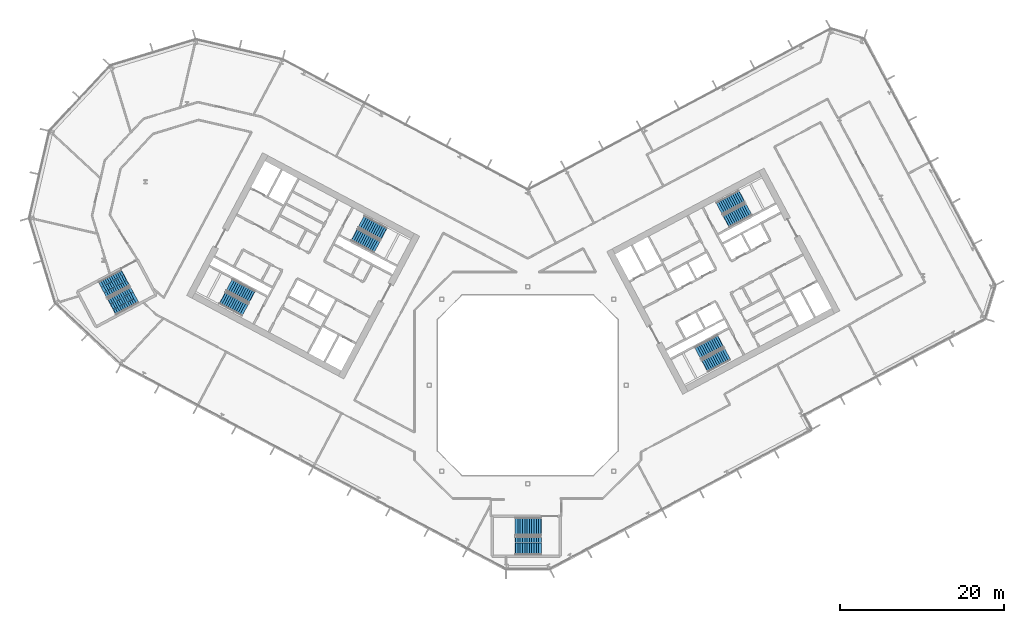
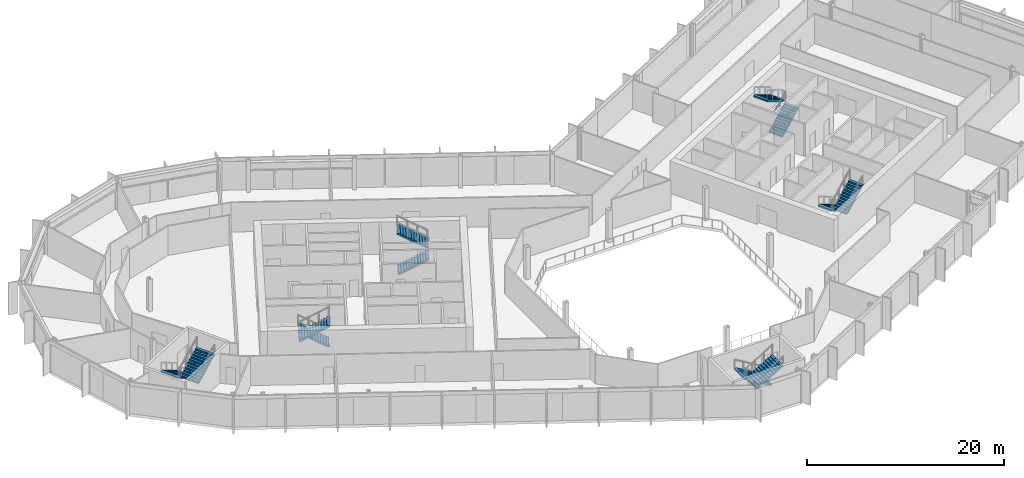
# One storey, part 18 of 28: 12 stair flights, 6 elements without a shape of their own.
"""IFC4 building model written with IfcOpenShell, lengths in metres."""

from ifc_helpers import new_model, si_unit, direction, frame, origin, place, context, subcontext, project, spatial, polyline, outline, extrude, material, type_object, element, aggregate, save


model = new_model("IFC4")

# Units and contexts
model_context = context("Model", 3, precision=1e-05, world=origin(), true_north=direction((0.0, 1.0)))
body_context = subcontext(model_context, "Body", "Model", "MODEL_VIEW")
ifc_project = project(units=[si_unit("LENGTHUNIT", "METRE"), si_unit("AREAUNIT", "SQUARE_METRE"), si_unit("VOLUMEUNIT", "CUBIC_METRE"), si_unit("PLANEANGLEUNIT", "RADIAN"), si_unit("MASSUNIT", "GRAM", prefix="KILO")], contexts=[model_context])

# Site, building, storey
site_placement = place(None, origin())
site = spatial("IfcSite", under=ifc_project, at=site_placement, CompositionType="ELEMENT")
building_placement = place(site_placement, origin())
building = spatial("IfcBuilding", under=site, at=building_placement, Name="Cormorant Relay Tower", CompositionType="ELEMENT")
storey_placement = place(building_placement, frame((0.0, 0.0, 126.199951171875)))
storey = spatial("IfcBuildingStorey", under=building, at=storey_placement, Name="L25", CompositionType="ELEMENT", Elevation=126.199951171875)

# Stair, stair flights
ifc_material_1 = material(Name="Concrete 40 MPa", Category="concrete")
stair_type_1 = type_object("IfcStairType", Name="Exit stair 1500", PredefinedType="HALF_TURN_STAIR", material=ifc_material_1)
stair_1_placement = place(storey_placement, origin())
stair_1 = element("IfcStair", 1, at=stair_1_placement, inside=storey, type_object=stair_type_1, Name="L25 Stair", PredefinedType="HALF_TURN_STAIR")
ifc_material_2 = material(Name="Concrete 40 MPa", Category="concrete")
stair_flight_type_1 = type_object("IfcStairFlightType", Name="Exit stair flight 1650", PredefinedType="STRAIGHT", material=ifc_material_2)
stair_flight_1_placement = place(storey_placement, frame((-21.114501953125, 18.33349609375, 0.0), z_axis=(0.0, 0.0, 1.0), x_axis=(0.882947592859, -0.469471562786, 0.0)))
stair_flight_1 = element("IfcStairFlight", 2, at=stair_flight_1_placement, type_object=stair_flight_type_1, Name="A1 flight 1", NumberOfRisers=12, NumberOfTreads=11, PredefinedType="STRAIGHT", RiserHeight=0.166666667, TreadLength=0.28, context=body_context, shape_type="SweptSolid", body=[
    extrude(outline(polyline([(-0.050048828125, -0.080078125), (-0.050048828125, 0.0), (0.0, 0.0), (0.0, 0.166748046875), (0.280029296875, 0.166748046875), (0.280029296875, 0.333251953125), (0.56005859375, 0.333251953125), (0.56005859375, 0.5), (0.840087890625, 0.5), (0.840087890625, 0.666748046875), (1.1201171875, 0.666748046875), (1.1201171875, 0.833251953125), (1.39990234375, 0.833251953125), (1.39990234375, 1.0), (1.679931640625, 1.0), (1.679931640625, 1.166748046875), (1.9599609375, 1.166748046875), (1.9599609375, 1.333251953125), (2.239990234375, 1.333251953125), (2.239990234375, 1.5), (2.52001953125, 1.5), (2.52001953125, 1.666748046875), (2.800048828125, 1.666748046875), (2.800048828125, 1.833251953125), (3.080078125, 1.833251953125), (3.130126953125, 1.833251953125), (3.130126953125, 1.658935546875), (3.080078125, 1.658935546875), (0.29296875, 0.0), (-0.050048828125, -0.080078125)])), frame((0.0, 0.824951171875, 0.0), z_axis=(0.0, -1.0, 0.0), x_axis=(1.0, 0.0, 0.0)), (0.0, 0.0, 1.0), 1.64990234375),
])
stair_flight_2_placement = place(storey_placement, frame((-17.5498046875, 18.47705078125, 2.0), z_axis=(0.0, 0.0, 1.0), x_axis=(-0.882947592859, 0.469471562786, 0.0)))
stair_flight_2 = element("IfcStairFlight", 3, at=stair_flight_2_placement, type_object=stair_flight_type_1, Name="A1 flight 2", NumberOfRisers=12, NumberOfTreads=11, PredefinedType="STRAIGHT", RiserHeight=0.166666667, TreadLength=0.28, context=body_context, shape_type="SweptSolid", body=[
    extrude(outline(polyline([(-0.050048828125, -0.080078125), (-0.050048828125, 0.0), (0.0, 0.0), (0.0, 0.166748046875), (0.280029296875, 0.166748046875), (0.280029296875, 0.333251953125), (0.56005859375, 0.333251953125), (0.56005859375, 0.5), (0.840087890625, 0.5), (0.840087890625, 0.666748046875), (1.1201171875, 0.666748046875), (1.1201171875, 0.833251953125), (1.39990234375, 0.833251953125), (1.39990234375, 1.0), (1.679931640625, 1.0), (1.679931640625, 1.166748046875), (1.9599609375, 1.166748046875), (1.9599609375, 1.333251953125), (2.239990234375, 1.333251953125), (2.239990234375, 1.5), (2.52001953125, 1.5), (2.52001953125, 1.666748046875), (2.800048828125, 1.666748046875), (2.800048828125, 1.833251953125), (3.080078125, 1.833251953125), (3.130126953125, 1.833251953125), (3.130126953125, 1.658935546875), (3.080078125, 1.658935546875), (0.29296875, 0.0), (-0.050048828125, -0.080078125)])), frame((0.0, 0.824951171875, 0.0), z_axis=(0.0, -1.0, 0.0), x_axis=(1.0, 0.0, 0.0)), (0.0, 0.0, 1.0), 1.64990234375),
])
aggregate(stair_1, [stair_flight_1, stair_flight_2])

stair_2_placement = place(storey_placement, origin())
stair_2 = element("IfcStair", 4, at=stair_2_placement, inside=storey, type_object=stair_type_1, Name="L25 Stair", PredefinedType="HALF_TURN_STAIR")
stair_flight_3_placement = place(storey_placement, frame((-33.62841796875, 10.773681640625, 0.0), z_axis=(0.0, 0.0, 1.0), x_axis=(-0.882947592859, 0.469471562786, 0.0)))
stair_flight_3 = element("IfcStairFlight", 5, at=stair_flight_3_placement, type_object=stair_flight_type_1, Name="A2 flight 1", NumberOfRisers=12, NumberOfTreads=11, PredefinedType="STRAIGHT", RiserHeight=0.166666667, TreadLength=0.28, context=body_context, shape_type="SweptSolid", body=[
    extrude(outline(polyline([(-0.050048828125, -0.080078125), (-0.050048828125, 0.0), (0.0, 0.0), (0.0, 0.166748046875), (0.280029296875, 0.166748046875), (0.280029296875, 0.333251953125), (0.56005859375, 0.333251953125), (0.56005859375, 0.5), (0.840087890625, 0.5), (0.840087890625, 0.666748046875), (1.1201171875, 0.666748046875), (1.1201171875, 0.833251953125), (1.39990234375, 0.833251953125), (1.39990234375, 1.0), (1.679931640625, 1.0), (1.679931640625, 1.166748046875), (1.9599609375, 1.166748046875), (1.9599609375, 1.333251953125), (2.239990234375, 1.333251953125), (2.239990234375, 1.5), (2.52001953125, 1.5), (2.52001953125, 1.666748046875), (2.800048828125, 1.666748046875), (2.800048828125, 1.833251953125), (3.080078125, 1.833251953125), (3.130126953125, 1.833251953125), (3.130126953125, 1.658935546875), (3.080078125, 1.658935546875), (0.29296875, 0.0), (-0.050048828125, -0.080078125)])), frame((0.0, 0.824951171875, 0.0), z_axis=(0.0, -1.0, 0.0), x_axis=(1.0, 0.0, 0.0)), (0.0, 0.0, 1.0), 1.64990234375),
])
stair_flight_4_placement = place(storey_placement, frame((-37.19287109375, 10.63037109375, 2.0), z_axis=(0.0, 0.0, 1.0), x_axis=(0.882947592859, -0.469471562786, 0.0)))
stair_flight_4 = element("IfcStairFlight", 6, at=stair_flight_4_placement, type_object=stair_flight_type_1, Name="A2 flight 2", NumberOfRisers=12, NumberOfTreads=11, PredefinedType="STRAIGHT", RiserHeight=0.166666667, TreadLength=0.28, context=body_context, shape_type="SweptSolid", body=[
    extrude(outline(polyline([(-0.050048828125, -0.080078125), (-0.050048828125, 0.0), (0.0, 0.0), (0.0, 0.166748046875), (0.280029296875, 0.166748046875), (0.280029296875, 0.333251953125), (0.56005859375, 0.333251953125), (0.56005859375, 0.5), (0.840087890625, 0.5), (0.840087890625, 0.666748046875), (1.1201171875, 0.666748046875), (1.1201171875, 0.833251953125), (1.39990234375, 0.833251953125), (1.39990234375, 1.0), (1.679931640625, 1.0), (1.679931640625, 1.166748046875), (1.9599609375, 1.166748046875), (1.9599609375, 1.333251953125), (2.239990234375, 1.333251953125), (2.239990234375, 1.5), (2.52001953125, 1.5), (2.52001953125, 1.666748046875), (2.800048828125, 1.666748046875), (2.800048828125, 1.833251953125), (3.080078125, 1.833251953125), (3.130126953125, 1.833251953125), (3.130126953125, 1.658935546875), (3.080078125, 1.658935546875), (0.29296875, 0.0), (-0.050048828125, -0.080078125)])), frame((0.0, 0.824951171875, 0.0), z_axis=(0.0, -1.0, 0.0), x_axis=(1.0, 0.0, 0.0)), (0.0, 0.0, 1.0), 1.64990234375),
])
aggregate(stair_2, [stair_flight_3, stair_flight_4])

stair_3_placement = place(storey_placement, origin())
stair_3 = element("IfcStair", 7, at=stair_3_placement, inside=storey, type_object=stair_type_1, Name="L25 Stair", PredefinedType="HALF_TURN_STAIR")
stair_flight_5_placement = place(storey_placement, frame((23.474365234375, 5.374755859375, 0.0), z_axis=(0.0, 0.0, 1.0), x_axis=(-0.882947592859, -0.469471562786, 0.0)))
stair_flight_5 = element("IfcStairFlight", 8, at=stair_flight_5_placement, type_object=stair_flight_type_1, Name="B1 flight 1", NumberOfRisers=12, NumberOfTreads=11, PredefinedType="STRAIGHT", RiserHeight=0.166666667, TreadLength=0.28, context=body_context, shape_type="SweptSolid", body=[
    extrude(outline(polyline([(-0.050048828125, -0.080078125), (-0.050048828125, 0.0), (0.0, 0.0), (0.0, 0.166748046875), (0.280029296875, 0.166748046875), (0.280029296875, 0.333251953125), (0.56005859375, 0.333251953125), (0.56005859375, 0.5), (0.840087890625, 0.5), (0.840087890625, 0.666748046875), (1.1201171875, 0.666748046875), (1.1201171875, 0.833251953125), (1.39990234375, 0.833251953125), (1.39990234375, 1.0), (1.679931640625, 1.0), (1.679931640625, 1.166748046875), (1.9599609375, 1.166748046875), (1.9599609375, 1.333251953125), (2.239990234375, 1.333251953125), (2.239990234375, 1.5), (2.52001953125, 1.5), (2.52001953125, 1.666748046875), (2.800048828125, 1.666748046875), (2.800048828125, 1.833251953125), (3.080078125, 1.833251953125), (3.130126953125, 1.833251953125), (3.130126953125, 1.658935546875), (3.080078125, 1.658935546875), (0.29296875, 0.0), (-0.050048828125, -0.080078125)])), frame((0.0, 0.824951171875, 0.0), z_axis=(0.0, -1.0, 0.0), x_axis=(1.0, 0.0, 0.0)), (0.0, 0.0, 1.0), 1.64990234375),
])
stair_flight_6_placement = place(storey_placement, frame((21.60009765625, 2.33935546875, 2.0), z_axis=(0.0, 0.0, 1.0), x_axis=(0.882947592859, 0.469471562786, 0.0)))
stair_flight_6 = element("IfcStairFlight", 9, at=stair_flight_6_placement, type_object=stair_flight_type_1, Name="B1 flight 2", NumberOfRisers=12, NumberOfTreads=11, PredefinedType="STRAIGHT", RiserHeight=0.166666667, TreadLength=0.28, context=body_context, shape_type="SweptSolid", body=[
    extrude(outline(polyline([(-0.050048828125, -0.080078125), (-0.050048828125, 0.0), (0.0, 0.0), (0.0, 0.166748046875), (0.280029296875, 0.166748046875), (0.280029296875, 0.333251953125), (0.56005859375, 0.333251953125), (0.56005859375, 0.5), (0.840087890625, 0.5), (0.840087890625, 0.666748046875), (1.1201171875, 0.666748046875), (1.1201171875, 0.833251953125), (1.39990234375, 0.833251953125), (1.39990234375, 1.0), (1.679931640625, 1.0), (1.679931640625, 1.166748046875), (1.9599609375, 1.166748046875), (1.9599609375, 1.333251953125), (2.239990234375, 1.333251953125), (2.239990234375, 1.5), (2.52001953125, 1.5), (2.52001953125, 1.666748046875), (2.800048828125, 1.666748046875), (2.800048828125, 1.833251953125), (3.080078125, 1.833251953125), (3.130126953125, 1.833251953125), (3.130126953125, 1.658935546875), (3.080078125, 1.658935546875), (0.29296875, 0.0), (-0.050048828125, -0.080078125)])), frame((0.0, 0.824951171875, 0.0), z_axis=(0.0, -1.0, 0.0), x_axis=(1.0, 0.0, 0.0)), (0.0, 0.0, 1.0), 1.64990234375),
])
aggregate(stair_3, [stair_flight_5, stair_flight_6])

stair_4_placement = place(storey_placement, origin())
stair_4 = element("IfcStair", 10, at=stair_4_placement, inside=storey, type_object=stair_type_1, Name="L25 Stair", PredefinedType="HALF_TURN_STAIR")
stair_flight_7_placement = place(storey_placement, frame((24.20458984375, 19.976806640625, 0.0), z_axis=(0.0, 0.0, 1.0), x_axis=(0.882947592859, 0.469471562786, 0.0)))
stair_flight_7 = element("IfcStairFlight", 11, at=stair_flight_7_placement, type_object=stair_flight_type_1, Name="B2 flight 1", NumberOfRisers=12, NumberOfTreads=11, PredefinedType="STRAIGHT", RiserHeight=0.166666667, TreadLength=0.28, context=body_context, shape_type="SweptSolid", body=[
    extrude(outline(polyline([(-0.050048828125, -0.080078125), (-0.050048828125, 0.0), (0.0, 0.0), (0.0, 0.166748046875), (0.280029296875, 0.166748046875), (0.280029296875, 0.333251953125), (0.56005859375, 0.333251953125), (0.56005859375, 0.5), (0.840087890625, 0.5), (0.840087890625, 0.666748046875), (1.1201171875, 0.666748046875), (1.1201171875, 0.833251953125), (1.39990234375, 0.833251953125), (1.39990234375, 1.0), (1.679931640625, 1.0), (1.679931640625, 1.166748046875), (1.9599609375, 1.166748046875), (1.9599609375, 1.333251953125), (2.239990234375, 1.333251953125), (2.239990234375, 1.5), (2.52001953125, 1.5), (2.52001953125, 1.666748046875), (2.800048828125, 1.666748046875), (2.800048828125, 1.833251953125), (3.080078125, 1.833251953125), (3.130126953125, 1.833251953125), (3.130126953125, 1.658935546875), (3.080078125, 1.658935546875), (0.29296875, 0.0), (-0.050048828125, -0.080078125)])), frame((0.0, 0.824951171875, 0.0), z_axis=(0.0, -1.0, 0.0), x_axis=(1.0, 0.0, 0.0)), (0.0, 0.0, 1.0), 1.64990234375),
])
stair_flight_8_placement = place(storey_placement, frame((26.0791015625, 23.011962890625, 2.0), z_axis=(0.0, 0.0, 1.0), x_axis=(-0.882947592859, -0.469471562786, 0.0)))
stair_flight_8 = element("IfcStairFlight", 12, at=stair_flight_8_placement, type_object=stair_flight_type_1, Name="B2 flight 2", NumberOfRisers=12, NumberOfTreads=11, PredefinedType="STRAIGHT", RiserHeight=0.166666667, TreadLength=0.28, context=body_context, shape_type="SweptSolid", body=[
    extrude(outline(polyline([(-0.050048828125, -0.080078125), (-0.050048828125, 0.0), (0.0, 0.0), (0.0, 0.166748046875), (0.280029296875, 0.166748046875), (0.280029296875, 0.333251953125), (0.56005859375, 0.333251953125), (0.56005859375, 0.5), (0.840087890625, 0.5), (0.840087890625, 0.666748046875), (1.1201171875, 0.666748046875), (1.1201171875, 0.833251953125), (1.39990234375, 0.833251953125), (1.39990234375, 1.0), (1.679931640625, 1.0), (1.679931640625, 1.166748046875), (1.9599609375, 1.166748046875), (1.9599609375, 1.333251953125), (2.239990234375, 1.333251953125), (2.239990234375, 1.5), (2.52001953125, 1.5), (2.52001953125, 1.666748046875), (2.800048828125, 1.666748046875), (2.800048828125, 1.833251953125), (3.080078125, 1.833251953125), (3.130126953125, 1.833251953125), (3.130126953125, 1.658935546875), (3.080078125, 1.658935546875), (0.29296875, 0.0), (-0.050048828125, -0.080078125)])), frame((0.0, 0.824951171875, 0.0), z_axis=(0.0, -1.0, 0.0), x_axis=(1.0, 0.0, 0.0)), (0.0, 0.0, 1.0), 1.64990234375),
])
aggregate(stair_4, [stair_flight_7, stair_flight_8])

ifc_material_3 = material(Name="Concrete 40 MPa", Category="concrete")
stair_type_2 = type_object("IfcStairType", Name="Remote exit stair 2200", PredefinedType="HALF_TURN_STAIR", material=ifc_material_3)
stair_5_placement = place(storey_placement, origin())
stair_5 = element("IfcStair", 13, at=stair_5_placement, inside=storey, type_object=stair_type_2, Name="L25 Stair", PredefinedType="HALF_TURN_STAIR")
ifc_material_4 = material(Name="Concrete 40 MPa", Category="concrete")
stair_flight_type_2 = type_object("IfcStairFlightType", Name="Remote exit stair flight 2200", PredefinedType="STRAIGHT", material=ifc_material_4)
stair_flight_9_placement = place(storey_placement, frame((1.60009765625, -17.22509765625, 0.0), z_axis=(0.0, 0.0, 1.0), x_axis=(-1.0, 0.0, 0.0)))
stair_flight_9 = element("IfcStairFlight", 14, at=stair_flight_9_placement, type_object=stair_flight_type_2, Name="RK1 flight 1", NumberOfRisers=12, NumberOfTreads=11, PredefinedType="STRAIGHT", RiserHeight=0.166666667, TreadLength=0.28, context=body_context, shape_type="SweptSolid", body=[
    extrude(outline(polyline([(-0.050048828125, -0.080078125), (-0.050048828125, 0.0), (0.0, 0.0), (0.0, 0.166748046875), (0.280029296875, 0.166748046875), (0.280029296875, 0.333251953125), (0.56005859375, 0.333251953125), (0.56005859375, 0.5), (0.840087890625, 0.5), (0.840087890625, 0.666748046875), (1.1201171875, 0.666748046875), (1.1201171875, 0.833251953125), (1.39990234375, 0.833251953125), (1.39990234375, 1.0), (1.679931640625, 1.0), (1.679931640625, 1.166748046875), (1.9599609375, 1.166748046875), (1.9599609375, 1.333251953125), (2.239990234375, 1.333251953125), (2.239990234375, 1.5), (2.52001953125, 1.5), (2.52001953125, 1.666748046875), (2.800048828125, 1.666748046875), (2.800048828125, 1.833251953125), (3.080078125, 1.833251953125), (3.130126953125, 1.833251953125), (3.130126953125, 1.658935546875), (3.080078125, 1.658935546875), (0.29296875, 0.0), (-0.050048828125, -0.080078125)])), frame((0.0, 1.10009765625, 0.0), z_axis=(0.0, -1.0, 0.0), x_axis=(1.0, 0.0, 0.0)), (0.0, 0.0, 1.0), 0.719970703125),
    extrude(outline(polyline([(-0.050048828125, -0.080078125), (-0.050048828125, 0.0), (0.0, 0.0), (0.0, 0.166748046875), (0.280029296875, 0.166748046875), (0.280029296875, 0.333251953125), (0.56005859375, 0.333251953125), (0.56005859375, 0.5), (0.840087890625, 0.5), (0.840087890625, 0.666748046875), (1.1201171875, 0.666748046875), (1.1201171875, 0.833251953125), (1.39990234375, 0.833251953125), (1.39990234375, 1.0), (1.679931640625, 1.0), (1.679931640625, 1.166748046875), (1.9599609375, 1.166748046875), (1.9599609375, 1.333251953125), (2.239990234375, 1.333251953125), (2.239990234375, 1.5), (2.52001953125, 1.5), (2.52001953125, 1.666748046875), (2.800048828125, 1.666748046875), (2.800048828125, 1.833251953125), (3.080078125, 1.833251953125), (3.130126953125, 1.833251953125), (3.130126953125, 1.658935546875), (3.080078125, 1.658935546875), (0.29296875, 0.0), (-0.050048828125, -0.080078125)])), frame((0.0, 0.360107421875, 0.0), z_axis=(0.0, -1.0, 0.0), x_axis=(1.0, 0.0, 0.0)), (0.0, 0.0, 1.0), 0.719970703125),
    extrude(outline(polyline([(-0.050048828125, -0.080078125), (-0.050048828125, 0.0), (0.0, 0.0), (0.0, 0.166748046875), (0.280029296875, 0.166748046875), (0.280029296875, 0.333251953125), (0.56005859375, 0.333251953125), (0.56005859375, 0.5), (0.840087890625, 0.5), (0.840087890625, 0.666748046875), (1.1201171875, 0.666748046875), (1.1201171875, 0.833251953125), (1.39990234375, 0.833251953125), (1.39990234375, 1.0), (1.679931640625, 1.0), (1.679931640625, 1.166748046875), (1.9599609375, 1.166748046875), (1.9599609375, 1.333251953125), (2.239990234375, 1.333251953125), (2.239990234375, 1.5), (2.52001953125, 1.5), (2.52001953125, 1.666748046875), (2.800048828125, 1.666748046875), (2.800048828125, 1.833251953125), (3.080078125, 1.833251953125), (3.130126953125, 1.833251953125), (3.130126953125, 1.658935546875), (3.080078125, 1.658935546875), (0.29296875, 0.0), (-0.050048828125, -0.080078125)])), frame((0.0, -0.3798828125, 0.0), z_axis=(0.0, -1.0, 0.0), x_axis=(1.0, 0.0, 0.0)), (0.0, 0.0, 1.0), 0.719970703125),
])
stair_flight_10_placement = place(storey_placement, frame((-1.47998046875, -19.574951171875, 2.0), z_axis=(0.0, 0.0, 1.0), x_axis=(1.0, 0.0, 0.0)))
stair_flight_10 = element("IfcStairFlight", 15, at=stair_flight_10_placement, type_object=stair_flight_type_2, Name="RK1 flight 2", NumberOfRisers=12, NumberOfTreads=11, PredefinedType="STRAIGHT", RiserHeight=0.166666667, TreadLength=0.28, context=body_context, shape_type="SweptSolid", body=[
    extrude(outline(polyline([(-0.050048828125, -0.080078125), (-0.050048828125, 0.0), (0.0, 0.0), (0.0, 0.166748046875), (0.280029296875, 0.166748046875), (0.280029296875, 0.333251953125), (0.56005859375, 0.333251953125), (0.56005859375, 0.5), (0.840087890625, 0.5), (0.840087890625, 0.666748046875), (1.1201171875, 0.666748046875), (1.1201171875, 0.833251953125), (1.39990234375, 0.833251953125), (1.39990234375, 1.0), (1.679931640625, 1.0), (1.679931640625, 1.166748046875), (1.9599609375, 1.166748046875), (1.9599609375, 1.333251953125), (2.239990234375, 1.333251953125), (2.239990234375, 1.5), (2.52001953125, 1.5), (2.52001953125, 1.666748046875), (2.800048828125, 1.666748046875), (2.800048828125, 1.833251953125), (3.080078125, 1.833251953125), (3.130126953125, 1.833251953125), (3.130126953125, 1.658935546875), (3.080078125, 1.658935546875), (0.29296875, 0.0), (-0.050048828125, -0.080078125)])), frame((0.0, 1.10009765625, 0.0), z_axis=(0.0, -1.0, 0.0), x_axis=(1.0, 0.0, 0.0)), (0.0, 0.0, 1.0), 0.719970703125),
    extrude(outline(polyline([(-0.050048828125, -0.080078125), (-0.050048828125, 0.0), (0.0, 0.0), (0.0, 0.166748046875), (0.280029296875, 0.166748046875), (0.280029296875, 0.333251953125), (0.56005859375, 0.333251953125), (0.56005859375, 0.5), (0.840087890625, 0.5), (0.840087890625, 0.666748046875), (1.1201171875, 0.666748046875), (1.1201171875, 0.833251953125), (1.39990234375, 0.833251953125), (1.39990234375, 1.0), (1.679931640625, 1.0), (1.679931640625, 1.166748046875), (1.9599609375, 1.166748046875), (1.9599609375, 1.333251953125), (2.239990234375, 1.333251953125), (2.239990234375, 1.5), (2.52001953125, 1.5), (2.52001953125, 1.666748046875), (2.800048828125, 1.666748046875), (2.800048828125, 1.833251953125), (3.080078125, 1.833251953125), (3.130126953125, 1.833251953125), (3.130126953125, 1.658935546875), (3.080078125, 1.658935546875), (0.29296875, 0.0), (-0.050048828125, -0.080078125)])), frame((0.0, 0.360107421875, 0.0), z_axis=(0.0, -1.0, 0.0), x_axis=(1.0, 0.0, 0.0)), (0.0, 0.0, 1.0), 0.719970703125),
    extrude(outline(polyline([(-0.050048828125, -0.080078125), (-0.050048828125, 0.0), (0.0, 0.0), (0.0, 0.166748046875), (0.280029296875, 0.166748046875), (0.280029296875, 0.333251953125), (0.56005859375, 0.333251953125), (0.56005859375, 0.5), (0.840087890625, 0.5), (0.840087890625, 0.666748046875), (1.1201171875, 0.666748046875), (1.1201171875, 0.833251953125), (1.39990234375, 0.833251953125), (1.39990234375, 1.0), (1.679931640625, 1.0), (1.679931640625, 1.166748046875), (1.9599609375, 1.166748046875), (1.9599609375, 1.333251953125), (2.239990234375, 1.333251953125), (2.239990234375, 1.5), (2.52001953125, 1.5), (2.52001953125, 1.666748046875), (2.800048828125, 1.666748046875), (2.800048828125, 1.833251953125), (3.080078125, 1.833251953125), (3.130126953125, 1.833251953125), (3.130126953125, 1.658935546875), (3.080078125, 1.658935546875), (0.29296875, 0.0), (-0.050048828125, -0.080078125)])), frame((0.0, -0.3798828125, 0.0), z_axis=(0.0, -1.0, 0.0), x_axis=(1.0, 0.0, 0.0)), (0.0, 0.0, 1.0), 0.719970703125),
])
aggregate(stair_5, [stair_flight_9, stair_flight_10])

stair_6_placement = place(storey_placement, origin())
stair_6 = element("IfcStair", 16, at=stair_6_placement, inside=storey, type_object=stair_type_2, Name="L25 Stair", PredefinedType="HALF_TURN_STAIR")
stair_flight_11_placement = place(storey_placement, frame((-49.062255859375, 13.08251953125, 0.0), z_axis=(0.0, 0.0, 1.0), x_axis=(-0.882947502727, -0.4694717323, 0.0)))
stair_flight_11 = element("IfcStairFlight", 17, at=stair_flight_11_placement, type_object=stair_flight_type_2, Name="RP1 flight 1", NumberOfRisers=12, NumberOfTreads=11, PredefinedType="STRAIGHT", RiserHeight=0.166666667, TreadLength=0.28, context=body_context, shape_type="SweptSolid", body=[
    extrude(outline(polyline([(-0.050048828125, -0.080078125), (-0.050048828125, 0.0), (0.0, 0.0), (0.0, 0.166748046875), (0.280029296875, 0.166748046875), (0.280029296875, 0.333251953125), (0.56005859375, 0.333251953125), (0.56005859375, 0.5), (0.840087890625, 0.5), (0.840087890625, 0.666748046875), (1.1201171875, 0.666748046875), (1.1201171875, 0.833251953125), (1.39990234375, 0.833251953125), (1.39990234375, 1.0), (1.679931640625, 1.0), (1.679931640625, 1.166748046875), (1.9599609375, 1.166748046875), (1.9599609375, 1.333251953125), (2.239990234375, 1.333251953125), (2.239990234375, 1.5), (2.52001953125, 1.5), (2.52001953125, 1.666748046875), (2.800048828125, 1.666748046875), (2.800048828125, 1.833251953125), (3.080078125, 1.833251953125), (3.130126953125, 1.833251953125), (3.130126953125, 1.658935546875), (3.080078125, 1.658935546875), (0.29296875, 0.0), (-0.050048828125, -0.080078125)])), frame((0.0, 1.10009765625, 0.0), z_axis=(0.0, -1.0, 0.0), x_axis=(1.0, 0.0, 0.0)), (0.0, 0.0, 1.0), 0.719970703125),
    extrude(outline(polyline([(-0.050048828125, -0.080078125), (-0.050048828125, 0.0), (0.0, 0.0), (0.0, 0.166748046875), (0.280029296875, 0.166748046875), (0.280029296875, 0.333251953125), (0.56005859375, 0.333251953125), (0.56005859375, 0.5), (0.840087890625, 0.5), (0.840087890625, 0.666748046875), (1.1201171875, 0.666748046875), (1.1201171875, 0.833251953125), (1.39990234375, 0.833251953125), (1.39990234375, 1.0), (1.679931640625, 1.0), (1.679931640625, 1.166748046875), (1.9599609375, 1.166748046875), (1.9599609375, 1.333251953125), (2.239990234375, 1.333251953125), (2.239990234375, 1.5), (2.52001953125, 1.5), (2.52001953125, 1.666748046875), (2.800048828125, 1.666748046875), (2.800048828125, 1.833251953125), (3.080078125, 1.833251953125), (3.130126953125, 1.833251953125), (3.130126953125, 1.658935546875), (3.080078125, 1.658935546875), (0.29296875, 0.0), (-0.050048828125, -0.080078125)])), frame((0.0, 0.360107421875, 0.0), z_axis=(0.0, -1.0, 0.0), x_axis=(1.0, 0.0, 0.0)), (0.0, 0.0, 1.0), 0.719970703125),
    extrude(outline(polyline([(-0.050048828125, -0.080078125), (-0.050048828125, 0.0), (0.0, 0.0), (0.0, 0.166748046875), (0.280029296875, 0.166748046875), (0.280029296875, 0.333251953125), (0.56005859375, 0.333251953125), (0.56005859375, 0.5), (0.840087890625, 0.5), (0.840087890625, 0.666748046875), (1.1201171875, 0.666748046875), (1.1201171875, 0.833251953125), (1.39990234375, 0.833251953125), (1.39990234375, 1.0), (1.679931640625, 1.0), (1.679931640625, 1.166748046875), (1.9599609375, 1.166748046875), (1.9599609375, 1.333251953125), (2.239990234375, 1.333251953125), (2.239990234375, 1.5), (2.52001953125, 1.5), (2.52001953125, 1.666748046875), (2.800048828125, 1.666748046875), (2.800048828125, 1.833251953125), (3.080078125, 1.833251953125), (3.130126953125, 1.833251953125), (3.130126953125, 1.658935546875), (3.080078125, 1.658935546875), (0.29296875, 0.0), (-0.050048828125, -0.080078125)])), frame((0.0, -0.3798828125, 0.0), z_axis=(0.0, -1.0, 0.0), x_axis=(1.0, 0.0, 0.0)), (0.0, 0.0, 1.0), 0.719970703125),
])
stair_flight_12_placement = place(storey_placement, frame((-50.678466796875, 9.5615234375, 2.0), z_axis=(0.0, 0.0, 1.0), x_axis=(0.882947502727, 0.4694717323, 0.0)))
stair_flight_12 = element("IfcStairFlight", 18, at=stair_flight_12_placement, type_object=stair_flight_type_2, Name="RP1 flight 2", NumberOfRisers=12, NumberOfTreads=11, PredefinedType="STRAIGHT", RiserHeight=0.166666667, TreadLength=0.28, context=body_context, shape_type="SweptSolid", body=[
    extrude(outline(polyline([(-0.050048828125, -0.080078125), (-0.050048828125, 0.0), (0.0, 0.0), (0.0, 0.166748046875), (0.280029296875, 0.166748046875), (0.280029296875, 0.333251953125), (0.56005859375, 0.333251953125), (0.56005859375, 0.5), (0.840087890625, 0.5), (0.840087890625, 0.666748046875), (1.1201171875, 0.666748046875), (1.1201171875, 0.833251953125), (1.39990234375, 0.833251953125), (1.39990234375, 1.0), (1.679931640625, 1.0), (1.679931640625, 1.166748046875), (1.9599609375, 1.166748046875), (1.9599609375, 1.333251953125), (2.239990234375, 1.333251953125), (2.239990234375, 1.5), (2.52001953125, 1.5), (2.52001953125, 1.666748046875), (2.800048828125, 1.666748046875), (2.800048828125, 1.833251953125), (3.080078125, 1.833251953125), (3.130126953125, 1.833251953125), (3.130126953125, 1.658935546875), (3.080078125, 1.658935546875), (0.29296875, 0.0), (-0.050048828125, -0.080078125)])), frame((0.0, 1.10009765625, 0.0), z_axis=(0.0, -1.0, 0.0), x_axis=(1.0, 0.0, 0.0)), (0.0, 0.0, 1.0), 0.719970703125),
    extrude(outline(polyline([(-0.050048828125, -0.080078125), (-0.050048828125, 0.0), (0.0, 0.0), (0.0, 0.166748046875), (0.280029296875, 0.166748046875), (0.280029296875, 0.333251953125), (0.56005859375, 0.333251953125), (0.56005859375, 0.5), (0.840087890625, 0.5), (0.840087890625, 0.666748046875), (1.1201171875, 0.666748046875), (1.1201171875, 0.833251953125), (1.39990234375, 0.833251953125), (1.39990234375, 1.0), (1.679931640625, 1.0), (1.679931640625, 1.166748046875), (1.9599609375, 1.166748046875), (1.9599609375, 1.333251953125), (2.239990234375, 1.333251953125), (2.239990234375, 1.5), (2.52001953125, 1.5), (2.52001953125, 1.666748046875), (2.800048828125, 1.666748046875), (2.800048828125, 1.833251953125), (3.080078125, 1.833251953125), (3.130126953125, 1.833251953125), (3.130126953125, 1.658935546875), (3.080078125, 1.658935546875), (0.29296875, 0.0), (-0.050048828125, -0.080078125)])), frame((0.0, 0.360107421875, 0.0), z_axis=(0.0, -1.0, 0.0), x_axis=(1.0, 0.0, 0.0)), (0.0, 0.0, 1.0), 0.719970703125),
    extrude(outline(polyline([(-0.050048828125, -0.080078125), (-0.050048828125, 0.0), (0.0, 0.0), (0.0, 0.166748046875), (0.280029296875, 0.166748046875), (0.280029296875, 0.333251953125), (0.56005859375, 0.333251953125), (0.56005859375, 0.5), (0.840087890625, 0.5), (0.840087890625, 0.666748046875), (1.1201171875, 0.666748046875), (1.1201171875, 0.833251953125), (1.39990234375, 0.833251953125), (1.39990234375, 1.0), (1.679931640625, 1.0), (1.679931640625, 1.166748046875), (1.9599609375, 1.166748046875), (1.9599609375, 1.333251953125), (2.239990234375, 1.333251953125), (2.239990234375, 1.5), (2.52001953125, 1.5), (2.52001953125, 1.666748046875), (2.800048828125, 1.666748046875), (2.800048828125, 1.833251953125), (3.080078125, 1.833251953125), (3.130126953125, 1.833251953125), (3.130126953125, 1.658935546875), (3.080078125, 1.658935546875), (0.29296875, 0.0), (-0.050048828125, -0.080078125)])), frame((0.0, -0.3798828125, 0.0), z_axis=(0.0, -1.0, 0.0), x_axis=(1.0, 0.0, 0.0)), (0.0, 0.0, 1.0), 0.719970703125),
])
aggregate(stair_6, [stair_flight_11, stair_flight_12])

save(model, "model.ifc")
